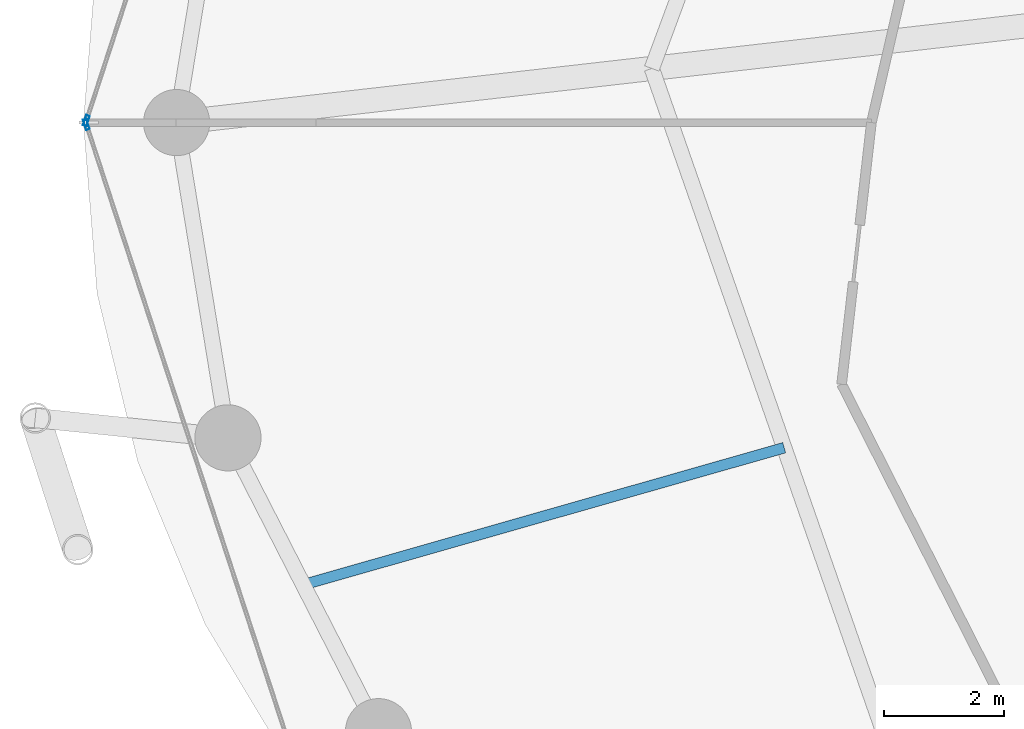
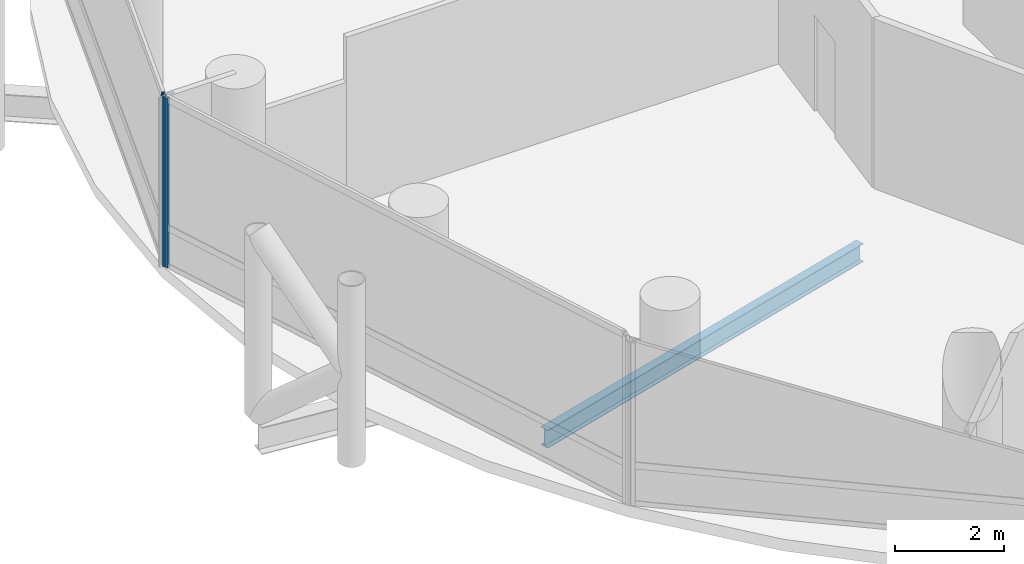
# One storey, part 6 of 26: 2 members, 1 beam, 2 elements without a shape of their own.
"""IFC4 building model written with IfcOpenShell, lengths in metres."""

from ifc_helpers import new_model, si_unit, direction, frame, origin, origin_2d, place, context, subcontext, project, spatial, hollow_rectangle, i_section, extrude, material, layer, layer_set, material_profile, profile_set, type_object, element, aggregate, save


model = new_model("IFC4")

# Units and contexts
model_context = context("Model", 3, precision=1e-05, world=origin(), true_north=direction((0.0, 1.0)))
body_context = subcontext(model_context, "Body", "Model", "MODEL_VIEW")
ifc_project = project(units=[si_unit("LENGTHUNIT", "METRE"), si_unit("AREAUNIT", "SQUARE_METRE"), si_unit("VOLUMEUNIT", "CUBIC_METRE"), si_unit("PLANEANGLEUNIT", "RADIAN"), si_unit("MASSUNIT", "GRAM", prefix="KILO")], contexts=[model_context])

# Site, building, storey
site_placement = place(None, origin())
site = spatial("IfcSite", under=ifc_project, at=site_placement, CompositionType="ELEMENT")
building_placement = place(site_placement, origin())
building = spatial("IfcBuilding", under=site, at=building_placement, Name="Nuhasar Tower", CompositionType="ELEMENT")
storey_placement = place(building_placement, frame((0.0, 0.0, 53.39990234375)))
storey = spatial("IfcBuildingStorey", under=building, at=storey_placement, Name="L12", CompositionType="ELEMENT", Elevation=53.39990234375)

# Beam
ifc_material_1 = material(Name="Steel S355", Category="steel")
ifc_material_profile_1 = material_profile(ifc_material_1, i_section(OverallWidth=0.177978515625, OverallDepth=0.406005859375, WebThickness=0.0078125, FlangeThickness=0.0126953125, at=origin_2d()), Name="W16X40")
ifc_profile_set_1 = profile_set([ifc_material_profile_1], Name="Steel S355")
beam_type = type_object("IfcBeamType", Name="BM-JST-W16X40", PredefinedType="JOIST", material=ifc_profile_set_1)
beam_placement = place(storey_placement, frame((24.051025390625, 21.39501953125, -0.462890625), z_axis=(-0.961730884496, -0.273995813484, 0.0), x_axis=(0.273995813484, -0.961730884496, 0.0)))
element("IfcBeam", 1, at=beam_placement, inside=storey, type_object=beam_type, Name="L12 Secondary Floor Joist 08", PredefinedType="JOIST", context=body_context, shape_type="SweptSolid", body=[
    extrude(i_section(OverallWidth=0.177978515625, OverallDepth=0.406005859375, WebThickness=0.0078125, FlangeThickness=0.0126953125, at=origin_2d()), origin(), (0.0, 0.0, 1.0), 8.314208984375),
])

# Curtain wall, member
ifc_material_2 = material(Name="Aluminium 6063-T6", Category="aluminium")
ifc_layer = layer(ifc_material_2, 0.199951171875)
ifc_layer_set = layer_set([ifc_layer], Name="Aluminium 6063-T6")
curtain_wall_type = type_object("IfcCurtainWallType", Name="CW-Z1-OFF", PredefinedType="NOTDEFINED", material=ifc_layer_set)
curtain_wall_1_placement = place(storey_placement, origin())
curtain_wall_1 = element("IfcCurtainWall", 2, at=curtain_wall_1_placement, inside=storey, type_object=curtain_wall_type, Name="L12 Unitised Curtain Wall 06", PredefinedType="NOTDEFINED")
ifc_material_profile_2 = material_profile(ifc_material_2, hollow_rectangle(XDim=0.06494140625, YDim=0.179931640625, WallThickness=0.0048828125, at=origin_2d()), Name="CWM-2")
ifc_profile_set_2 = profile_set([ifc_material_profile_2], Name="Aluminium 6063-T6")
member_type = type_object("IfcMemberType", Name="CW-MUL-S2", PredefinedType="MULLION", material=ifc_profile_set_2)
member_1_placement = place(storey_placement, frame((12.4501953125, 26.830810546875, 0.0), z_axis=(0.0, 0.0, 1.0), x_axis=(0.950467534571, -0.310823849997, 0.0)))
member_1 = element("IfcMember", 3, at=member_1_placement, type_object=member_type, Name="CW-Z1 mullion 2", PredefinedType="MULLION", context=body_context, shape_type="SweptSolid", body=[
    extrude(hollow_rectangle(XDim=0.06494140625, YDim=0.179931640625, WallThickness=0.0048828125, at=origin_2d()), origin(), (0.0, 0.0, 1.0), 3.800048828125),
])
aggregate(curtain_wall_1, [member_1])

curtain_wall_2_placement = place(storey_placement, origin())
curtain_wall_2 = element("IfcCurtainWall", 4, at=curtain_wall_2_placement, inside=storey, type_object=curtain_wall_type, Name="L12 Unitised Curtain Wall 07", PredefinedType="NOTDEFINED")
member_2_placement = place(storey_placement, frame((12.4501953125, 26.76904296875, 0.0), z_axis=(0.0, 0.0, 1.0), x_axis=(0.950467534571, 0.310823849997, 0.0)))
member_2 = element("IfcMember", 5, at=member_2_placement, type_object=member_type, Name="CW-Z1 mullion 1", PredefinedType="MULLION", context=body_context, shape_type="SweptSolid", body=[
    extrude(hollow_rectangle(XDim=0.06494140625, YDim=0.179931640625, WallThickness=0.0048828125, at=origin_2d()), origin(), (0.0, 0.0, 1.0), 3.800048828125),
])
aggregate(curtain_wall_2, [member_2])

save(model, "model.ifc")
